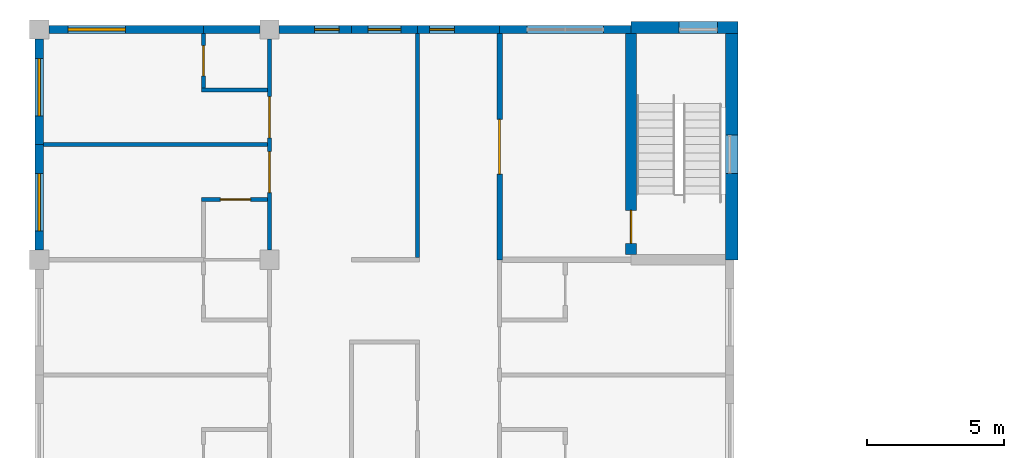
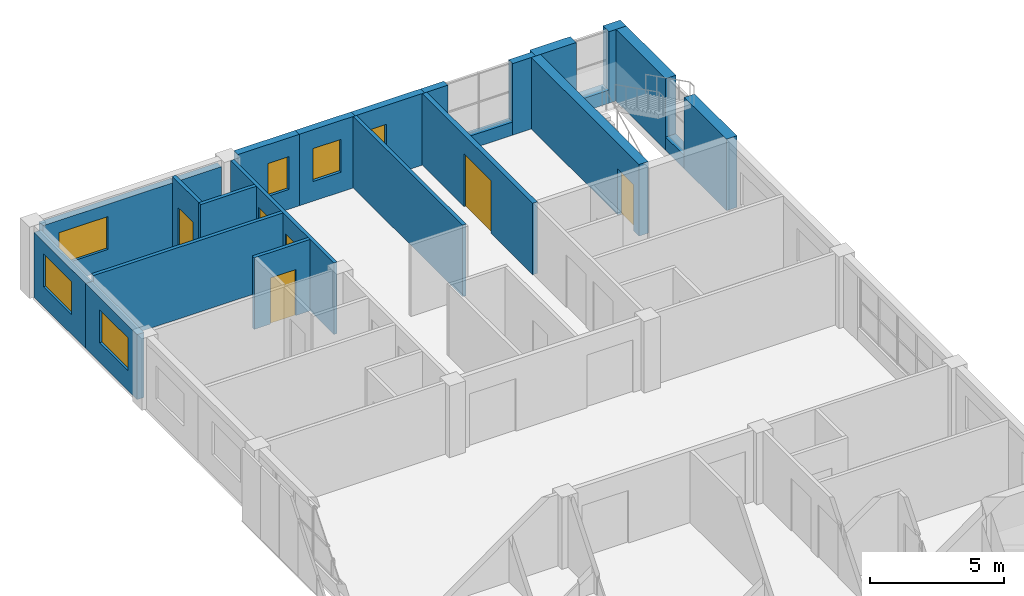
# One storey, part 35 of 46: 24 walls, 6 doors, 6 windows, 12 openings.
"""IFC4 building model written with IfcOpenShell, lengths in metres."""

import ifcopenshell
import ifcopenshell.guid

model = None  # the IFC model being written
_history = None  # IfcOwnerHistory: only IFC2X3 demands one
_inside = {}  # id of a spatial element -> (the spatial element, [elements in it])
_under = {}  # id of a project, library or spatial element -> (it, [spatial elements below it])
_declared = {}  # id of a project -> (the project, [libraries it declares])
_typed = {}  # id of a type object -> (the type object, [elements of that type])
_made_of = {}  # id of a material, layer set ... -> (it, [elements and type objects made of it])


def new_model(schema):
    """Start an empty IFC model of exactly this schema.

    Asked for "IFC4X3", IfcOpenShell would pick the latest addendum, in which some entities
    have other attributes; the version numbers below select the first issue.
    IFC2X3 requires an IfcOwnerHistory on every rooted entity: one is made here for all.
    """
    global model, _history
    if schema == "IFC4X3":
        model = ifcopenshell.file(schema_version=(4, 3, 0, 0))
    else:
        model = ifcopenshell.file(schema=schema)
    _inside.clear()
    _under.clear()
    _declared.clear()
    _typed.clear()
    _made_of.clear()
    _history = None
    if model.schema == "IFC2X3":
        org = make("IfcOrganization", Name="unknown")
        user = make(
            "IfcPersonAndOrganization",
            ThePerson=make("IfcPerson", FamilyName="unknown"),
            TheOrganization=org,
        )
        app = make(
            "IfcApplication",
            ApplicationDeveloper=org,
            Version="unknown",
            ApplicationFullName="unknown",
            ApplicationIdentifier="unknown",
        )
        _history = make(
            "IfcOwnerHistory",
            OwningUser=user,
            OwningApplication=app,
            ChangeAction="ADDED",
            CreationDate=0,
        )
    return model


def make(cls, **values):
    """One entity of the class cls with the attributes given. An attribute that is None is left unset."""
    return model.create_entity(
        cls, **{name: value for name, value in values.items() if value is not None}
    )


def rooted(cls, **values):
    """An entity with a GlobalId (a new one), such as an element, a storey or a relation."""
    return make(cls, GlobalId=ifcopenshell.guid.new(), OwnerHistory=_history, **values)


def si_unit(unit_type, name, prefix=None):
    """IfcSIUnit, for example si_unit("LENGTHUNIT", "METRE", prefix="MILLI")."""
    return make("IfcSIUnit", UnitType=unit_type, Prefix=prefix, Name=name)


def assignment(units):
    """IfcUnitAssignment: the units of a project."""
    return None if units is None else make("IfcUnitAssignment", Units=units)


def point(xyz):
    """IfcCartesianPoint."""
    return None if xyz is None else make("IfcCartesianPoint", Coordinates=xyz)


def direction(xyz):
    """IfcDirection."""
    return None if xyz is None else make("IfcDirection", DirectionRatios=xyz)


def frame(location, z_axis=None, x_axis=None):
    """IfcAxis2Placement3D, a coordinate frame: its origin and axes. An axis left out is left unset."""
    return make(
        "IfcAxis2Placement3D",
        Location=point(location),
        Axis=direction(z_axis),
        RefDirection=direction(x_axis),
    )


def frame_2d(location, x_axis=None):
    """IfcAxis2Placement2D, a coordinate frame in the plane: its origin and x axis."""
    return make(
        "IfcAxis2Placement2D", Location=point(location), RefDirection=direction(x_axis)
    )


def origin():
    """The frame at (0, 0, 0) with its axes left unset."""
    return frame((0.0, 0.0, 0.0))


def place(relative_to, where):
    """IfcLocalPlacement: puts the frame where relative to a parent placement (None: the world)."""
    return make(
        "IfcLocalPlacement", PlacementRelTo=relative_to, RelativePlacement=where
    )


def context(
    kind, dimensions, precision=None, world=None, true_north=None, identifier=None
):
    """IfcGeometricRepresentationContext, for example the 3D "Model" context."""
    return make(
        "IfcGeometricRepresentationContext",
        ContextIdentifier=identifier,
        ContextType=kind,
        CoordinateSpaceDimension=dimensions,
        Precision=precision,
        WorldCoordinateSystem=world,
        TrueNorth=true_north,
    )


def subcontext(parent, identifier, kind, view, scale=None):
    """IfcGeometricRepresentationSubContext, for example "Body" below "Model"."""
    return make(
        "IfcGeometricRepresentationSubContext",
        ContextIdentifier=identifier,
        ContextType=kind,
        ParentContext=parent,
        TargetScale=scale,
        TargetView=view,
    )


def project(units=None, contexts=None):
    """IfcProject with its units and contexts."""
    return rooted(
        "IfcProject",
        Name="project",
        RepresentationContexts=contexts,
        UnitsInContext=assignment(units),
    )


def spatial(cls, under=None, at=None, **own):
    """A site, building, storey or space (cls), placed at a placement, below another one or the project."""
    s = rooted(cls, ObjectPlacement=at, **own)
    if under is not None:
        _under.setdefault(under.id(), (under, []))[1].append(s)
    return s


def profile(cls, at=None, kind="AREA", **sizes):
    """A parametric profile (cls). Its sizes go by their IFC names, for example OverallWidth=200.0."""
    return make(cls, ProfileType=kind, Position=at, **sizes)


def rectangle(**sizes):
    """IfcRectangleProfileDef."""
    return profile("IfcRectangleProfileDef", **sizes)


def extrude(swept, where, along, depth):
    """IfcExtrudedAreaSolid: the profile swept, set in the frame where, extruded along a direction by depth."""
    return make(
        "IfcExtrudedAreaSolid",
        SweptArea=swept,
        Position=where,
        ExtrudedDirection=direction(along),
        Depth=depth,
    )


def shape(context_of_items, identifier, shape_type, items):
    """IfcShapeRepresentation: the items that make up one representation, for example the "Body"."""
    return make(
        "IfcShapeRepresentation",
        ContextOfItems=context_of_items,
        RepresentationIdentifier=identifier,
        RepresentationType=shape_type,
        Items=items,
    )


def material(Name=None, Category=None):
    """IfcMaterial."""
    return make("IfcMaterial", Name=Name, Category=Category)


def layer(
    of_material, thickness, ventilated=None, Name=None, Category=None, Priority=None
):
    """IfcMaterialLayer: one layer of a wall or slab, of a material (None: an air gap)."""
    return make(
        "IfcMaterialLayer",
        Material=of_material,
        LayerThickness=thickness,
        IsVentilated=ventilated,
        Name=Name,
        Category=Category,
        Priority=Priority,
    )


def layer_set(layers, Name=None):
    """IfcMaterialLayerSet."""
    return make("IfcMaterialLayerSet", MaterialLayers=layers, LayerSetName=Name)


def made_of(thing, what):
    """Note that an element or type object is made of a material, layer set ...; save() writes the relation."""
    if what is not None:
        _made_of.setdefault(what.id(), (what, []))[1].append(thing)
    return thing


def type_object(cls, material=None, **own):
    """A type object (cls), such as IfcWallType, which elements share."""
    return made_of(rooted(cls, **own), material)


def element(
    cls,
    number,
    at=None,
    inside=None,
    cuts=None,
    type_object=None,
    material=None,
    context=None,
    identifier="Body",
    shape_type=None,
    held_by="IfcProductDefinitionShape",
    body=None,
    shapes=None,
    **own,
):
    """One element of the class cls, such as IfcWall. Its Tag is "e" and its number.

    at: its placement. inside: the storey or other place that contains it. cuts: it is an
    opening in that element (IfcRelVoidsElement). A single representation is given by context,
    identifier, shape_type and body (its items); several are given by shapes. held_by: the class
    of the entity that holds the representations. save() writes the other relations.
    """
    e = rooted(cls, Tag="e%d" % number, ObjectPlacement=at, **own)
    if body is not None:
        shapes = [shape(context, identifier, shape_type, body)]
    if shapes is not None:
        e.Representation = make(held_by, Representations=shapes)
    if inside is not None:
        _inside.setdefault(inside.id(), (inside, []))[1].append(e)
    if cuts is not None:
        rooted(
            "IfcRelVoidsElement", RelatingBuildingElement=cuts, RelatedOpeningElement=e
        )
    if type_object is not None:
        _typed.setdefault(type_object.id(), (type_object, []))[1].append(e)
    return made_of(e, material)


def fill(opening, filler):
    """IfcRelFillsElement: the door or window that sits in an opening."""
    return rooted(
        "IfcRelFillsElement",
        RelatingOpeningElement=opening,
        RelatedBuildingElement=filler,
    )


def aggregate(whole, parts):
    """IfcRelAggregates: a whole, such as a stair, and the parts it consists of."""
    return rooted("IfcRelAggregates", RelatingObject=whole, RelatedObjects=parts)


def save(model, path):
    """Write the relations noted so far, then the file.

    IfcRelAggregates (storeys below a building ...), IfcRelContainedInSpatialStructure (elements
    in a storey), IfcRelDefinesByType, IfcRelAssociatesMaterial and IfcRelDeclares: one each for
    every whole, place, type object, material and project.
    """
    for whole, parts in _under.values():
        aggregate(whole, parts)
    for where, things in _inside.values():
        rooted(
            "IfcRelContainedInSpatialStructure",
            RelatedElements=things,
            RelatingStructure=where,
        )
    for kind, things in _typed.values():
        rooted("IfcRelDefinesByType", RelatedObjects=things, RelatingType=kind)
    for what, things in _made_of.values():
        rooted("IfcRelAssociatesMaterial", RelatedObjects=things, RelatingMaterial=what)
    for by, libraries in _declared.values():
        rooted("IfcRelDeclares", RelatingContext=by, RelatedDefinitions=libraries)
    model.write(path)


model = new_model("IFC4")

# Units and contexts
model_context = context("Model", 3, precision=1e-05, world=origin(), true_north=direction((0.0, 1.0)))
body_context = subcontext(model_context, "Body", "Model", "MODEL_VIEW")
ifc_project = project(units=[si_unit("LENGTHUNIT", "METRE"), si_unit("AREAUNIT", "SQUARE_METRE"), si_unit("VOLUMEUNIT", "CUBIC_METRE"), si_unit("PLANEANGLEUNIT", "RADIAN"), si_unit("MASSUNIT", "GRAM", prefix="KILO")], contexts=[model_context])

# Site, building, storey
site_placement = place(None, origin())
site = spatial("IfcSite", under=ifc_project, at=site_placement, CompositionType="ELEMENT")
building_placement = place(site_placement, origin())
building = spatial("IfcBuilding", under=site, at=building_placement, Name="Yavir Park General Hospital", CompositionType="ELEMENT")
storey_placement = place(building_placement, frame((0.0, 0.0, 18.89990234375)))
storey = spatial("IfcBuildingStorey", under=building, at=storey_placement, Name="L04", CompositionType="ELEMENT", Elevation=18.89990234375)

# Wall, opening, door
ifc_material_1 = material(Name="Double gypsum board fire partition on steel studs", Category="steel")
ifc_layer_1 = layer(ifc_material_1, 0.199951171875)
ifc_layer_set_1 = layer_set([ifc_layer_1], Name="Double gypsum board fire partition on steel studs")
wall_type_1 = type_object("IfcWallType", Name="Fire-rated partition 200, EI 60", PredefinedType="PARTITIONING", material=ifc_layer_set_1)
wall_1_placement = place(storey_placement, frame((16.800048828125, 109.199951171875, 0.0), z_axis=(0.0, 0.0, 1.0), x_axis=(0.0, 1.0, 0.0)))
wall_1 = element("IfcWall", 1, at=wall_1_placement, inside=storey, type_object=wall_type_1, Name="FP20 L04-197", PredefinedType="PARTITIONING", context=body_context, shape_type="SweptSolid", body=[
    extrude(rectangle(XDim=8.25, YDim=0.199951171875, at=frame_2d((4.125, 0.0))), origin(), (0.0, 0.0, 1.0), 3.260009765625),
])
opening_1_placement = place(wall_1_placement, frame((3.125, 0.0, 0.0)))
opening_1 = element("IfcOpeningElement", 2, at=opening_1_placement, cuts=wall_1, Name="Opening L04.D127", PredefinedType="OPENING", context=body_context, shape_type="SweptSolid", body=[
    extrude(rectangle(XDim=2.0, YDim=2.39990234375, at=frame_2d((1.0, 1.199951171875))), frame((0.0, 0.10986328125, 0.0), z_axis=(0.0, -1.0, 0.0), x_axis=(1.0, 0.0, 0.0)), (0.0, 0.0, 1.0), 0.219970703125),
])
ifc_material_2 = material(Name="Steel frame, fire-resisting leaves with vision panels", Category="steel")
door_type_1 = type_object("IfcDoorType", Name="Double fire door with vision panels 2000 x 2400, EI 60", OperationType="DOUBLE_DOOR_SINGLE_SWING", PredefinedType="DOOR", material=ifc_material_2)
door_1_placement = place(opening_1_placement, origin())
door_1 = element("IfcDoor", 3, at=door_1_placement, inside=storey, type_object=door_type_1, Name="L04.D127", OperationType="SINGLE_SWING_LEFT", OverallHeight=2.39990234375, OverallWidth=2.0, PredefinedType="DOOR", context=body_context, shape_type="SweptSolid", body=[
    extrude(rectangle(XDim=2.0, YDim=2.39990234375, at=frame_2d((1.0, 1.199951171875))), frame((0.0, 0.030029296875, 0.0), z_axis=(0.0, -1.0, 0.0), x_axis=(1.0, 0.0, 0.0)), (0.0, 0.0, 1.0), 0.06005859375),
])
fill(opening_1, door_1)

ifc_material_3 = material(Name="Gypsum board partition on steel studs", Category="steel")
ifc_layer_2 = layer(ifc_material_3, 0.14990234375)
ifc_layer_set_2 = layer_set([ifc_layer_2], Name="Gypsum board partition on steel studs")
wall_type_2 = type_object("IfcWallType", Name="Gypsum board partition 150", PredefinedType="PARTITIONING", material=ifc_layer_set_2)
wall_2_placement = place(storey_placement, frame((5.925048828125, 111.39990234375, 0.0), z_axis=(0.0, 0.0, 1.0), x_axis=(1.0, 0.0, 0.0)))
wall_2 = element("IfcWall", 4, at=wall_2_placement, inside=storey, type_object=wall_type_2, Name="P15 L04-140", PredefinedType="PARTITIONING", context=body_context, shape_type="SweptSolid", body=[
    extrude(rectangle(XDim=2.39990234375, YDim=0.14990234375, at=frame_2d((1.199951171875, 0.0))), origin(), (0.0, 0.0, 1.0), 3.260009765625),
])
opening_2_placement = place(wall_2_placement, frame((0.6875, 0.0, 0.0)))
opening_2 = element("IfcOpeningElement", 5, at=opening_2_placement, cuts=wall_2, Name="Opening L04.D072", PredefinedType="OPENING", context=body_context, shape_type="SweptSolid", body=[
    extrude(rectangle(XDim=1.10009765625, YDim=2.10009765625, at=frame_2d((0.550048828125, 1.050048828125))), frame((0.0, 0.0849609375, 0.0), z_axis=(0.0, -1.0, 0.0), x_axis=(1.0, 0.0, 0.0)), (0.0, 0.0, 1.0), 0.169921875),
])
ifc_material_4 = material(Name="Hollow metal frame, solid-core timber leaf", Category="wood")
door_type_2 = type_object("IfcDoorType", Name="Single swing door 1100 x 2100", OperationType="SINGLE_SWING_LEFT", PredefinedType="DOOR", material=ifc_material_4)
door_2_placement = place(opening_2_placement, origin())
door_2 = element("IfcDoor", 6, at=door_2_placement, inside=storey, type_object=door_type_2, Name="L04.D072", OperationType="SINGLE_SWING_LEFT", OverallHeight=2.10009765625, OverallWidth=1.10009765625, PredefinedType="DOOR", context=body_context, shape_type="SweptSolid", body=[
    extrude(rectangle(XDim=1.10009765625, YDim=2.10009765625, at=frame_2d((0.550048828125, 1.050048828125))), frame((0.0, 0.02490234375, 0.0), z_axis=(0.0, -1.0, 0.0), x_axis=(1.0, 0.0, 0.0)), (0.0, 0.0, 1.0), 0.050048828125),
])
fill(opening_2, door_2)

# Walls
wall_3_placement = place(storey_placement, frame((0.14990234375, 113.39990234375, 0.0), z_axis=(0.0, 0.0, 1.0), x_axis=(1.0, 0.0, 0.0)))
element("IfcWall", 7, at=wall_3_placement, inside=storey, type_object=wall_type_2, Name="P15 L04-141", PredefinedType="PARTITIONING", context=body_context, shape_type="SweptSolid", body=[
    extrude(rectangle(XDim=8.175048828125, YDim=0.14990234375, at=frame_2d((4.08740234375, 0.0))), origin(), (0.0, 0.0, 1.0), 3.260009765625),
])
wall_4_placement = place(storey_placement, frame((5.925048828125, 115.39990234375, 0.0), z_axis=(0.0, 0.0, 1.0), x_axis=(1.0, 0.0, 0.0)))
element("IfcWall", 8, at=wall_4_placement, inside=storey, type_object=wall_type_2, Name="P15 L04-142", PredefinedType="PARTITIONING", context=body_context, shape_type="SweptSolid", body=[
    extrude(rectangle(XDim=2.39990234375, YDim=0.14990234375, at=frame_2d((1.199951171875, 0.0))), origin(), (0.0, 0.0, 1.0), 3.260009765625),
])

# Wall, opening, door
wall_5_placement = place(storey_placement, frame((6.0, 115.47509765625, 0.0), z_axis=(0.0, 0.0, 1.0), x_axis=(0.0, 1.0, 0.0)))
wall_5 = element("IfcWall", 9, at=wall_5_placement, inside=storey, type_object=wall_type_2, Name="P15 L04-160", PredefinedType="PARTITIONING", context=body_context, shape_type="SweptSolid", body=[
    extrude(rectangle(XDim=1.974853515625, YDim=0.14990234375, at=frame_2d((0.9873046875, 0.0))), origin(), (0.0, 0.0, 1.0), 3.260009765625),
])
opening_3_placement = place(wall_5_placement, frame((0.4375, 0.0, 0.0)))
opening_3 = element("IfcOpeningElement", 10, at=opening_3_placement, cuts=wall_5, Name="Opening L04.D087", PredefinedType="OPENING", context=body_context, shape_type="SweptSolid", body=[
    extrude(rectangle(XDim=1.10009765625, YDim=2.10009765625, at=frame_2d((0.550048828125, 1.050048828125))), frame((0.0, 0.0849609375, 0.0), z_axis=(0.0, -1.0, 0.0), x_axis=(1.0, 0.0, 0.0)), (0.0, 0.0, 1.0), 0.169921875),
])
door_3_placement = place(opening_3_placement, origin())
door_3 = element("IfcDoor", 11, at=door_3_placement, inside=storey, type_object=door_type_2, Name="L04.D087", OperationType="SINGLE_SWING_LEFT", OverallHeight=2.10009765625, OverallWidth=1.10009765625, PredefinedType="DOOR", context=body_context, shape_type="SweptSolid", body=[
    extrude(rectangle(XDim=1.10009765625, YDim=2.10009765625, at=frame_2d((0.550048828125, 1.050048828125))), frame((0.0, 0.02490234375, 0.0), z_axis=(0.0, -1.0, 0.0), x_axis=(1.0, 0.0, 0.0)), (0.0, 0.0, 1.0), 0.050048828125),
])
fill(opening_3, door_3)

# Wall, openings, doors
wall_6_placement = place(storey_placement, frame((8.39990234375, 109.550048828125, 0.0), z_axis=(0.0, 0.0, 1.0), x_axis=(0.0, 1.0, 0.0)))
wall_6 = element("IfcWall", 12, at=wall_6_placement, inside=storey, type_object=wall_type_2, Name="P15 L04-174", PredefinedType="PARTITIONING", context=body_context, shape_type="SweptSolid", body=[
    extrude(rectangle(XDim=7.699951171875, YDim=0.14990234375, at=frame_2d((3.85009765625, 0.0))), origin(), (0.0, 0.0, 1.0), 3.260009765625),
])
opening_4_placement = place(wall_6_placement, frame((2.10009765625, 0.0, 0.0)))
opening_4 = element("IfcOpeningElement", 13, at=opening_4_placement, cuts=wall_6, Name="Opening L04.D102", PredefinedType="OPENING", context=body_context, shape_type="SweptSolid", body=[
    extrude(rectangle(XDim=1.5, YDim=2.39990234375, at=frame_2d((0.75, 1.199951171875))), frame((0.0, 0.0849609375, 0.0), z_axis=(0.0, -1.0, 0.0), x_axis=(1.0, 0.0, 0.0)), (0.0, 0.0, 1.0), 0.169921875),
])
opening_5_placement = place(wall_6_placement, frame((4.10009765625, 0.0, 0.0)))
opening_5 = element("IfcOpeningElement", 14, at=opening_5_placement, cuts=wall_6, Name="Opening L04.D103", PredefinedType="OPENING", context=body_context, shape_type="SweptSolid", body=[
    extrude(rectangle(XDim=1.5, YDim=2.39990234375, at=frame_2d((0.75, 1.199951171875))), frame((0.0, 0.0849609375, 0.0), z_axis=(0.0, -1.0, 0.0), x_axis=(1.0, 0.0, 0.0)), (0.0, 0.0, 1.0), 0.169921875),
])
ifc_material_5 = material(Name="Solid-core timber leaves, push plates, kick plates", Category="wood")
door_type_3 = type_object("IfcDoorType", Name="Bed door, unequal leaves 1500 x 2400", OperationType="DOUBLE_DOOR_SINGLE_SWING", PredefinedType="DOOR", material=ifc_material_5)
door_4_placement = place(opening_4_placement, origin())
door_4 = element("IfcDoor", 15, at=door_4_placement, inside=storey, type_object=door_type_3, Name="L04.D102", OperationType="SINGLE_SWING_RIGHT", OverallHeight=2.39990234375, OverallWidth=1.5, PredefinedType="DOOR", context=body_context, shape_type="SweptSolid", body=[
    extrude(rectangle(XDim=1.5, YDim=2.39990234375, at=frame_2d((0.75, 1.199951171875))), frame((0.0, 0.030029296875, 0.0), z_axis=(0.0, -1.0, 0.0), x_axis=(1.0, 0.0, 0.0)), (0.0, 0.0, 1.0), 0.06005859375),
])
fill(opening_4, door_4)
door_5_placement = place(opening_5_placement, origin())
door_5 = element("IfcDoor", 16, at=door_5_placement, inside=storey, type_object=door_type_3, Name="L04.D103", OperationType="SINGLE_SWING_RIGHT", OverallHeight=2.39990234375, OverallWidth=1.5, PredefinedType="DOOR", context=body_context, shape_type="SweptSolid", body=[
    extrude(rectangle(XDim=1.5, YDim=2.39990234375, at=frame_2d((0.75, 1.199951171875))), frame((0.0, 0.030029296875, 0.0), z_axis=(0.0, -1.0, 0.0), x_axis=(1.0, 0.0, 0.0)), (0.0, 0.0, 1.0), 0.06005859375),
])
fill(opening_5, door_5)

# Wall
wall_7_placement = place(storey_placement, frame((13.800048828125, 109.27490234375, 0.0), z_axis=(0.0, 0.0, 1.0), x_axis=(0.0, 1.0, 0.0)))
element("IfcWall", 17, at=wall_7_placement, inside=storey, type_object=wall_type_2, Name="P15 L04-184", PredefinedType="PARTITIONING", context=body_context, shape_type="SweptSolid", body=[
    extrude(rectangle(XDim=8.175048828125, YDim=0.14990234375, at=frame_2d((4.08740234375, 0.0))), origin(), (0.0, 0.0, 1.0), 3.260009765625),
])

# Wall, opening, window
ifc_material_6 = material(Name="Autoclaved aerated block, mineral wool and ochre mineral render")
ifc_layer_3 = layer(ifc_material_6, 0.300048828125)
ifc_layer_set_3 = layer_set([ifc_layer_3], Name="Autoclaved aerated block, mineral wool and ochre mineral render")
wall_type_3 = type_object("IfcWallType", Name="Ochre render ward wall 300, E 30", PredefinedType="SOLIDWALL", material=ifc_layer_set_3)
wall_8_placement = place(storey_placement, frame((0.35009765625, 117.60009765625, 0.0), z_axis=(0.0, 0.0, 1.0), x_axis=(1.0, 0.0, 0.0)))
wall_8 = element("IfcWall", 18, at=wall_8_placement, inside=storey, type_object=wall_type_3, Name="XW7 L04-059", PredefinedType="SOLIDWALL", context=body_context, shape_type="SweptSolid", body=[
    extrude(rectangle(XDim=5.64990234375, YDim=0.300048828125, at=frame_2d((2.824951171875, 0.0))), origin(), (0.0, 0.0, 1.0), 2.960205078125),
])
opening_6_placement = place(wall_8_placement, frame((0.699951171875, 0.0, 0.89990234375)))
opening_6 = element("IfcOpeningElement", 19, at=opening_6_placement, cuts=wall_8, Name="Opening WAR", PredefinedType="OPENING", context=body_context, shape_type="SweptSolid", body=[
    extrude(rectangle(XDim=2.10009765625, YDim=1.5, at=frame_2d((1.050048828125, 0.75))), frame((0.0, 0.159912109375, 0.0), z_axis=(0.0, -1.0, 0.0), x_axis=(1.0, 0.0, 0.0)), (0.0, 0.0, 1.0), 0.320068359375),
])
ifc_material_7 = material(Name="Aluminium frame, tilt-and-turn sash with opening restrictor, double glazed unit", Category="aluminium")
window_type_1 = type_object("IfcWindowType", Name="Ward window, restricted opening 2100 x 1500", PartitioningType="DOUBLE_PANEL_VERTICAL", PredefinedType="WINDOW", material=ifc_material_7)
window_1_placement = place(opening_6_placement, origin())
window_1 = element("IfcWindow", 20, at=window_1_placement, inside=storey, type_object=window_type_1, Name="WAR L04-018", OverallHeight=1.5, OverallWidth=2.10009765625, PartitioningType="DOUBLE_PANEL_VERTICAL", PredefinedType="WINDOW", context=body_context, shape_type="SweptSolid", body=[
    extrude(rectangle(XDim=2.10009765625, YDim=1.5, at=frame_2d((1.050048828125, 0.75))), frame((0.0, 0.050048828125, 0.0), z_axis=(0.0, -1.0, 0.0), x_axis=(1.0, 0.0, 0.0)), (0.0, 0.0, 1.0), 0.10009765625),
])
fill(opening_6, window_1)

# Wall
wall_9_placement = place(storey_placement, frame((6.0, 117.60009765625, 0.0), z_axis=(0.0, 0.0, 1.0), x_axis=(1.0, 0.0, 0.0)))
element("IfcWall", 21, at=wall_9_placement, inside=storey, type_object=wall_type_3, Name="XW7 L04-060", PredefinedType="SOLIDWALL", context=body_context, shape_type="SweptSolid", body=[
    extrude(rectangle(XDim=2.050048828125, YDim=0.300048828125, at=frame_2d((1.02490234375, 0.0))), origin(), (0.0, 0.0, 1.0), 2.960205078125),
])

# Wall, opening, window
wall_10_placement = place(storey_placement, frame((8.75, 117.60009765625, 0.0), z_axis=(0.0, 0.0, 1.0), x_axis=(1.0, 0.0, 0.0)))
wall_10 = element("IfcWall", 22, at=wall_10_placement, inside=storey, type_object=wall_type_3, Name="XW7 L04-061", PredefinedType="SOLIDWALL", context=body_context, shape_type="SweptSolid", body=[
    extrude(rectangle(XDim=2.64990234375, YDim=0.300048828125, at=frame_2d((1.324951171875, 0.0))), origin(), (0.0, 0.0, 1.0), 3.260009765625),
])
opening_7_placement = place(wall_10_placement, frame((1.300048828125, 0.0, 0.89990234375)))
opening_7 = element("IfcOpeningElement", 23, at=opening_7_placement, cuts=wall_10, Name="Opening WH", PredefinedType="OPENING", context=body_context, shape_type="SweptSolid", body=[
    extrude(rectangle(XDim=0.89990234375, YDim=1.5, at=frame_2d((0.449951171875, 0.75))), frame((0.0, 0.159912109375, 0.0), z_axis=(0.0, -1.0, 0.0), x_axis=(1.0, 0.0, 0.0)), (0.0, 0.0, 1.0), 0.320068359375),
])
ifc_material_8 = material(Name="Aluminium frame, double glazed unit", Category="aluminium")
window_type_2 = type_object("IfcWindowType", Name="Narrow window 900 x 1500", PartitioningType="SINGLE_PANEL", PredefinedType="WINDOW", material=ifc_material_8)
window_2_placement = place(opening_7_placement, origin())
window_2 = element("IfcWindow", 24, at=window_2_placement, inside=storey, type_object=window_type_2, Name="WH L04-019", OverallHeight=1.5, OverallWidth=0.89990234375, PartitioningType="SINGLE_PANEL", PredefinedType="WINDOW", context=body_context, shape_type="SweptSolid", body=[
    extrude(rectangle(XDim=0.89990234375, YDim=1.5, at=frame_2d((0.449951171875, 0.75))), frame((0.0, 0.030029296875, 0.0), z_axis=(0.0, -1.0, 0.0), x_axis=(1.0, 0.0, 0.0)), (0.0, 0.0, 1.0), 0.06005859375),
])
fill(opening_7, window_2)

wall_11_placement = place(storey_placement, frame((11.39990234375, 117.60009765625, 0.0), z_axis=(0.0, 0.0, 1.0), x_axis=(1.0, 0.0, 0.0)))
wall_11 = element("IfcWall", 25, at=wall_11_placement, inside=storey, type_object=wall_type_3, Name="XW7 L04-062", PredefinedType="SOLIDWALL", context=body_context, shape_type="SweptSolid", body=[
    extrude(rectangle(XDim=2.400146484375, YDim=0.300048828125, at=frame_2d((1.2001953125, 0.0))), origin(), (0.0, 0.0, 1.0), 3.260009765625),
])
opening_8_placement = place(wall_11_placement, frame((0.60009765625, 0.0, 0.89990234375)))
opening_8 = element("IfcOpeningElement", 26, at=opening_8_placement, cuts=wall_11, Name="Opening WD", PredefinedType="OPENING", context=body_context, shape_type="SweptSolid", body=[
    extrude(rectangle(XDim=1.199951171875, YDim=1.5, at=frame_2d((0.60009765625, 0.75))), frame((0.0, 0.159912109375, 0.0), z_axis=(0.0, -1.0, 0.0), x_axis=(1.0, 0.0, 0.0)), (0.0, 0.0, 1.0), 0.320068359375),
])
ifc_material_9 = material(Name="Aluminium frame, double glazed unit", Category="aluminium")
window_type_3 = type_object("IfcWindowType", Name="Office window 1200 x 1500", PartitioningType="SINGLE_PANEL", PredefinedType="WINDOW", material=ifc_material_9)
window_3_placement = place(opening_8_placement, origin())
window_3 = element("IfcWindow", 27, at=window_3_placement, inside=storey, type_object=window_type_3, Name="WD L04-020", OverallHeight=1.5, OverallWidth=1.199951171875, PartitioningType="SINGLE_PANEL", PredefinedType="WINDOW", context=body_context, shape_type="SweptSolid", body=[
    extrude(rectangle(XDim=1.199951171875, YDim=1.5, at=frame_2d((0.60009765625, 0.75))), frame((0.0, 0.030029296875, 0.0), z_axis=(0.0, -1.0, 0.0), x_axis=(1.0, 0.0, 0.0)), (0.0, 0.0, 1.0), 0.06005859375),
])
fill(opening_8, window_3)

wall_12_placement = place(storey_placement, frame((13.800048828125, 117.60009765625, 0.0), z_axis=(0.0, 0.0, 1.0), x_axis=(1.0, 0.0, 0.0)))
wall_12 = element("IfcWall", 28, at=wall_12_placement, inside=storey, type_object=wall_type_3, Name="XW7 L04-063", PredefinedType="SOLIDWALL", context=body_context, shape_type="SweptSolid", body=[
    extrude(rectangle(XDim=3.0, YDim=0.300048828125, at=frame_2d((1.5, 0.0))), origin(), (0.0, 0.0, 1.0), 3.260009765625),
])
opening_9_placement = place(wall_12_placement, frame((0.449951171875, 0.0, 0.89990234375)))
opening_9 = element("IfcOpeningElement", 29, at=opening_9_placement, cuts=wall_12, Name="Opening WH", PredefinedType="OPENING", context=body_context, shape_type="SweptSolid", body=[
    extrude(rectangle(XDim=0.89990234375, YDim=1.5, at=frame_2d((0.449951171875, 0.75))), frame((0.0, 0.159912109375, 0.0), z_axis=(0.0, -1.0, 0.0), x_axis=(1.0, 0.0, 0.0)), (0.0, 0.0, 1.0), 0.320068359375),
])
window_4_placement = place(opening_9_placement, origin())
window_4 = element("IfcWindow", 30, at=window_4_placement, inside=storey, type_object=window_type_2, Name="WH L04-021", OverallHeight=1.5, OverallWidth=0.89990234375, PartitioningType="SINGLE_PANEL", PredefinedType="WINDOW", context=body_context, shape_type="SweptSolid", body=[
    extrude(rectangle(XDim=0.89990234375, YDim=1.5, at=frame_2d((0.449951171875, 0.75))), frame((0.0, 0.030029296875, 0.0), z_axis=(0.0, -1.0, 0.0), x_axis=(1.0, 0.0, 0.0)), (0.0, 0.0, 1.0), 0.06005859375),
])
fill(opening_9, window_4)

# Walls
for number, where, z_axis, x_axis, name in (
    (31, (16.800048828125, 117.60009765625, 0.0), (0.0, 0.0, 1.0), (1.0, 0.0, 0.0), "XW7 L04-064"),
    (32, (20.60009765625, 117.60009765625, 0.0), (0.0, 0.0, 1.0), (1.0, 0.0, 0.0), "XW7 L04-065"),
):
    element("IfcWall", number, at=place(storey_placement, frame(where, z_axis=z_axis, x_axis=x_axis)), inside=storey, type_object=wall_type_3, Name=name, PredefinedType="SOLIDWALL", context=body_context, shape_type="SweptSolid", body=[
        extrude(rectangle(XDim=1.0, YDim=0.300048828125, at=frame_2d((0.5, 0.0))), origin(), (0.0, 0.0, 1.0), 3.260009765625),
    ])
wall_13_placement = place(storey_placement, frame((17.800048828125, 117.60009765625, 0.0), z_axis=(0.0, 0.0, 1.0), x_axis=(1.0, 0.0, 0.0)))
element("IfcWall", 33, at=wall_13_placement, inside=storey, type_object=wall_type_3, Name="XW7 L04-066", PredefinedType="SOLIDWALL", context=body_context, shape_type="SweptSolid", body=[
    extrude(rectangle(XDim=2.800048828125, YDim=0.300048828125, at=frame_2d((1.39990234375, 0.0))), origin(), (0.0, 0.0, 1.0), 0.60009765625),
])

# Wall, opening, window
wall_14_placement = place(storey_placement, frame((0.0, 109.550048828125, 0.0), z_axis=(0.0, 0.0, 1.0), x_axis=(0.0, 1.0, 0.0)))
wall_14 = element("IfcWall", 34, at=wall_14_placement, inside=storey, type_object=wall_type_3, Name="XW7 L04-100", PredefinedType="SOLIDWALL", context=body_context, shape_type="SweptSolid", body=[
    extrude(rectangle(XDim=3.849853515625, YDim=0.300048828125, at=frame_2d((1.9248046875, 0.0))), origin(), (0.0, 0.0, 1.0), 2.960205078125),
])
opening_10_placement = place(wall_14_placement, frame((0.699951171875, 0.0, 0.89990234375)))
opening_10 = element("IfcOpeningElement", 35, at=opening_10_placement, cuts=wall_14, Name="Opening WAR", PredefinedType="OPENING", context=body_context, shape_type="SweptSolid", body=[
    extrude(rectangle(XDim=2.10009765625, YDim=1.5, at=frame_2d((1.050048828125, 0.75))), frame((0.0, 0.159912109375, 0.0), z_axis=(0.0, -1.0, 0.0), x_axis=(1.0, 0.0, 0.0)), (0.0, 0.0, 1.0), 0.320068359375),
])
window_5_placement = place(opening_10_placement, origin())
window_5 = element("IfcWindow", 36, at=window_5_placement, inside=storey, type_object=window_type_1, Name="WAR L04-038", OverallHeight=1.5, OverallWidth=2.10009765625, PartitioningType="DOUBLE_PANEL_VERTICAL", PredefinedType="WINDOW", context=body_context, shape_type="SweptSolid", body=[
    extrude(rectangle(XDim=2.10009765625, YDim=1.5, at=frame_2d((1.050048828125, 0.75))), frame((0.0, 0.050048828125, 0.0), z_axis=(0.0, -1.0, 0.0), x_axis=(1.0, 0.0, 0.0)), (0.0, 0.0, 1.0), 0.10009765625),
])
fill(opening_10, window_5)

wall_15_placement = place(storey_placement, frame((0.0, 113.39990234375, 0.0), z_axis=(0.0, 0.0, 1.0), x_axis=(0.0, 1.0, 0.0)))
wall_15 = element("IfcWall", 37, at=wall_15_placement, inside=storey, type_object=wall_type_3, Name="XW7 L04-101", PredefinedType="SOLIDWALL", context=body_context, shape_type="SweptSolid", body=[
    extrude(rectangle(XDim=3.85009765625, YDim=0.300048828125, at=frame_2d((1.925048828125, 0.0))), origin(), (0.0, 0.0, 1.0), 2.960205078125),
])
opening_11_placement = place(wall_15_placement, frame((1.050048828125, 0.0, 0.89990234375)))
opening_11 = element("IfcOpeningElement", 38, at=opening_11_placement, cuts=wall_15, Name="Opening WAR", PredefinedType="OPENING", context=body_context, shape_type="SweptSolid", body=[
    extrude(rectangle(XDim=2.10009765625, YDim=1.5, at=frame_2d((1.050048828125, 0.75))), frame((0.0, 0.159912109375, 0.0), z_axis=(0.0, -1.0, 0.0), x_axis=(1.0, 0.0, 0.0)), (0.0, 0.0, 1.0), 0.320068359375),
])
window_6_placement = place(opening_11_placement, origin())
window_6 = element("IfcWindow", 39, at=window_6_placement, inside=storey, type_object=window_type_1, Name="WAR L04-039", OverallHeight=1.5, OverallWidth=2.10009765625, PartitioningType="DOUBLE_PANEL_VERTICAL", PredefinedType="WINDOW", context=body_context, shape_type="SweptSolid", body=[
    extrude(rectangle(XDim=2.10009765625, YDim=1.5, at=frame_2d((1.050048828125, 0.75))), frame((0.0, 0.050048828125, 0.0), z_axis=(0.0, -1.0, 0.0), x_axis=(1.0, 0.0, 0.0)), (0.0, 0.0, 1.0), 0.10009765625),
])
fill(opening_11, window_6)

# Wall, opening, door
ifc_material_10 = material(Name="Concrete C35/45", Category="concrete")
ifc_layer_4 = layer(ifc_material_10, 0.39990234375)
ifc_layer_set_4 = layer_set([ifc_layer_4], Name="Concrete C35/45")
wall_type_4 = type_object("IfcWallType", Name="Reinforced concrete core wall 400, REI 150", PredefinedType="SHEAR", material=ifc_layer_set_4)
wall_16_placement = place(storey_placement, frame((21.60009765625, 109.39990234375, 0.0), z_axis=(0.0, 0.0, 1.0), x_axis=(0.0, 1.0, 0.0)))
wall_16 = element("IfcWall", 40, at=wall_16_placement, inside=storey, type_object=wall_type_4, Name="CW40 L04-213", PredefinedType="SHEAR", context=body_context, shape_type="SweptSolid", body=[
    extrude(rectangle(XDim=8.050048828125, YDim=0.39990234375, at=frame_2d((4.02490234375, 0.0))), origin(), (0.0, 0.0, 1.0), 3.260009765625),
])
opening_12_placement = place(wall_16_placement, frame((0.39990234375, 0.0, 0.0)))
opening_12 = element("IfcOpeningElement", 41, at=opening_12_placement, cuts=wall_16, Name="Opening L04.D139", PredefinedType="OPENING", context=body_context, shape_type="SweptSolid", body=[
    extrude(rectangle(XDim=1.199951171875, YDim=2.10009765625, at=frame_2d((0.60009765625, 1.050048828125))), frame((0.0, 0.2099609375, 0.0), z_axis=(0.0, -1.0, 0.0), x_axis=(1.0, 0.0, 0.0)), (0.0, 0.0, 1.0), 0.419921875),
])
ifc_material_11 = material(Name="Steel frame, fire-resisting timber leaf", Category="steel")
door_type_4 = type_object("IfcDoorType", Name="Fire door 1200 x 2100, EI 60", OperationType="SINGLE_SWING_LEFT", PredefinedType="DOOR", material=ifc_material_11)
door_6_placement = place(opening_12_placement, origin())
door_6 = element("IfcDoor", 42, at=door_6_placement, inside=storey, type_object=door_type_4, Name="L04.D139", OperationType="SINGLE_SWING_LEFT", OverallHeight=2.10009765625, OverallWidth=1.199951171875, PredefinedType="DOOR", context=body_context, shape_type="SweptSolid", body=[
    extrude(rectangle(XDim=1.199951171875, YDim=2.10009765625, at=frame_2d((0.60009765625, 1.050048828125))), frame((0.0, 0.02490234375, 0.0), z_axis=(0.0, -1.0, 0.0), x_axis=(1.0, 0.0, 0.0)), (0.0, 0.0, 1.0), 0.050048828125),
])
fill(opening_12, door_6)

# Walls
ifc_material_12 = material(Name="Concrete C30/37 precast panel with 150 mm mineral wool insulation", Category="concrete")
ifc_layer_5 = layer(ifc_material_12, 0.449951171875)
ifc_layer_set_5 = layer_set([ifc_layer_5], Name="Concrete C30/37 precast panel with 150 mm mineral wool insulation")
wall_type_5 = type_object("IfcWallType", Name="Stair enclosure wall 450, REI 150", PredefinedType="SOLIDWALL", material=ifc_layer_set_5)
wall_17_placement = place(storey_placement, frame((21.60009765625, 117.675048828125, 0.0), z_axis=(0.0, 0.0, 1.0), x_axis=(1.0, 0.0, 0.0)))
element("IfcWall", 43, at=wall_17_placement, inside=storey, type_object=wall_type_5, Name="XW6 L04-067", PredefinedType="SOLIDWALL", context=body_context, shape_type="SweptSolid", body=[
    extrude(rectangle(XDim=1.75, YDim=0.449951171875, at=frame_2d((0.875, 0.0))), origin(), (0.0, 0.0, 1.0), 3.260009765625),
])
wall_18_placement = place(storey_placement, frame((24.75, 117.675048828125, 0.0), z_axis=(0.0, 0.0, 1.0), x_axis=(1.0, 0.0, 0.0)))
element("IfcWall", 44, at=wall_18_placement, inside=storey, type_object=wall_type_5, Name="XW6 L04-068", PredefinedType="SOLIDWALL", context=body_context, shape_type="SweptSolid", body=[
    extrude(rectangle(XDim=0.75, YDim=0.449951171875, at=frame_2d((0.375, 0.0))), origin(), (0.0, 0.0, 1.0), 3.260009765625),
])
wall_19_placement = place(storey_placement, frame((23.35009765625, 117.675048828125, 0.0), z_axis=(0.0, 0.0, 1.0), x_axis=(1.0, 0.0, 0.0)))
element("IfcWall", 45, at=wall_19_placement, inside=storey, type_object=wall_type_5, Name="XW6 L04-069", PredefinedType="SOLIDWALL", context=body_context, shape_type="SweptSolid", body=[
    extrude(rectangle(XDim=1.39990234375, YDim=0.449951171875, at=frame_2d((0.699951171875, 0.0))), origin(), (0.0, 0.0, 1.0), 0.60009765625),
])
wall_20_placement = place(storey_placement, frame((25.27490234375, 109.199951171875, 0.0), z_axis=(0.0, 0.0, 1.0), x_axis=(0.0, 1.0, 0.0)))
element("IfcWall", 46, at=wall_20_placement, inside=storey, type_object=wall_type_5, Name="XW6 L04-126", PredefinedType="SOLIDWALL", context=body_context, shape_type="SweptSolid", body=[
    extrude(rectangle(XDim=3.150146484375, YDim=0.449951171875, at=frame_2d((1.5751953125, 0.0))), origin(), (0.0, 0.0, 1.0), 3.260009765625),
])
wall_21_placement = place(storey_placement, frame((25.27490234375, 113.75, 0.0), z_axis=(0.0, 0.0, 1.0), x_axis=(0.0, 1.0, 0.0)))
element("IfcWall", 47, at=wall_21_placement, inside=storey, type_object=wall_type_5, Name="XW6 L04-127", PredefinedType="SOLIDWALL", context=body_context, shape_type="SweptSolid", body=[
    extrude(rectangle(XDim=3.699951171875, YDim=0.449951171875, at=frame_2d((1.85009765625, 0.0))), origin(), (0.0, 0.0, 1.0), 3.260009765625),
])
wall_22_placement = place(storey_placement, frame((25.27490234375, 112.35009765625, 0.0), z_axis=(0.0, 0.0, 1.0), x_axis=(0.0, 1.0, 0.0)))
element("IfcWall", 48, at=wall_22_placement, inside=storey, type_object=wall_type_5, Name="XW6 L04-128", PredefinedType="SOLIDWALL", context=body_context, shape_type="SweptSolid", body=[
    extrude(rectangle(XDim=1.39990234375, YDim=0.449951171875, at=frame_2d((0.699951171875, 0.0))), origin(), (0.0, 0.0, 1.0), 0.60009765625),
])

save(model, "model.ifc")
